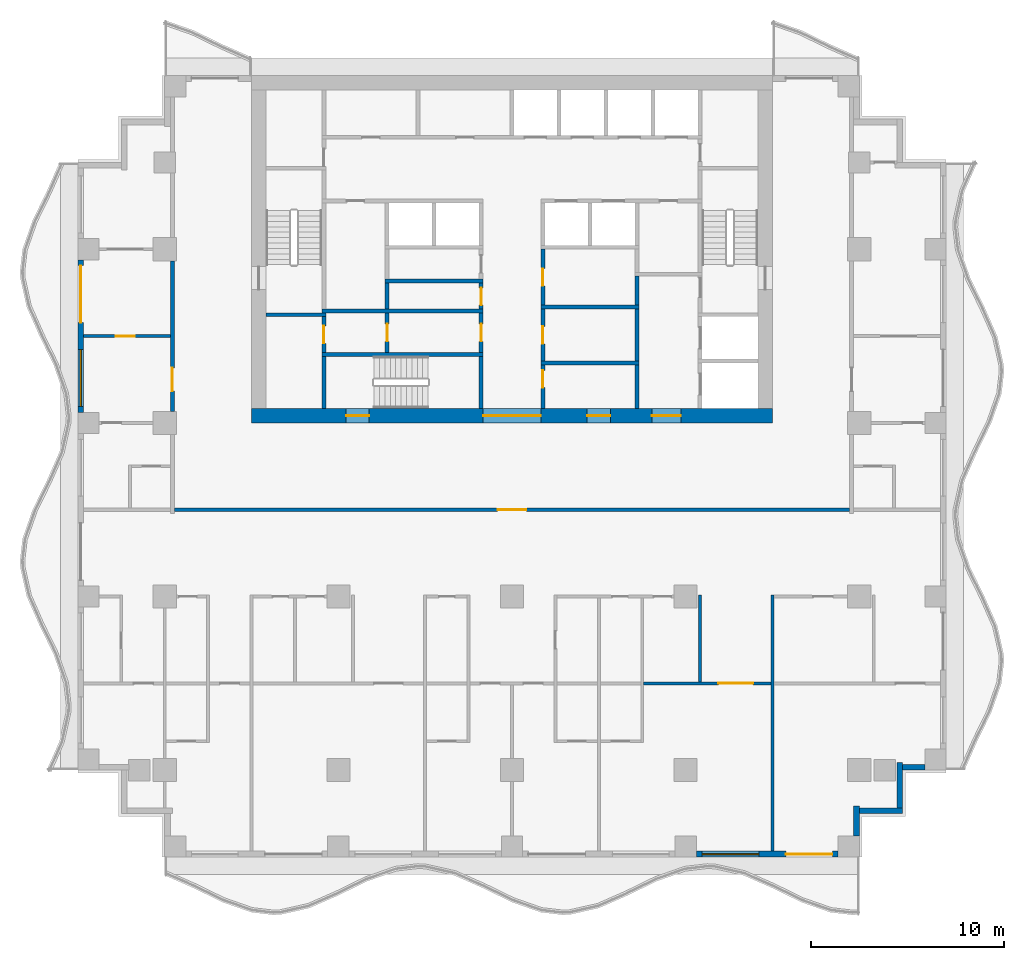
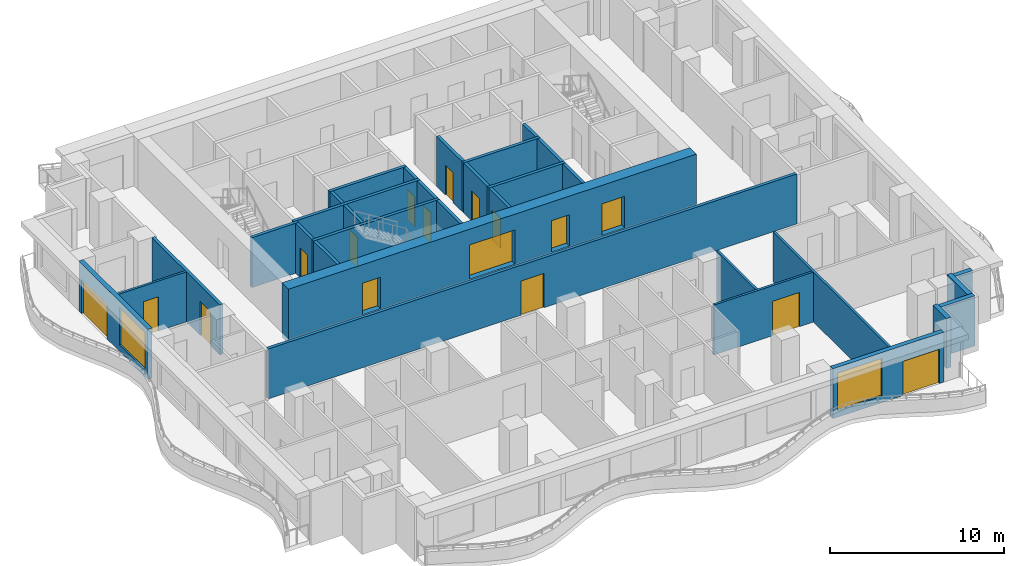
# One storey, part 3 of 10: 32 walls, 17 doors, 2 windows, 19 openings.
"""IFC4 building model written with IfcOpenShell, lengths in metres."""

from ifc_helpers import new_model, si_unit, direction, frame, frame_2d, origin, place, context, subcontext, project, spatial, rectangle, extrude, material, layer, layer_set, type_object, element, fill, save


model = new_model("IFC4")

# Units and contexts
model_context = context("Model", 3, precision=1e-05, world=origin(), true_north=direction((0.0, 1.0)))
body_context = subcontext(model_context, "Body", "Model", "MODEL_VIEW")
ifc_project = project(units=[si_unit("LENGTHUNIT", "METRE"), si_unit("AREAUNIT", "SQUARE_METRE"), si_unit("VOLUMEUNIT", "CUBIC_METRE"), si_unit("PLANEANGLEUNIT", "RADIAN"), si_unit("MASSUNIT", "GRAM", prefix="KILO")], contexts=[model_context])

# Site, building, storey
site_placement = place(None, origin())
site = spatial("IfcSite", under=ifc_project, at=site_placement, CompositionType="ELEMENT")
building_placement = place(site_placement, origin())
building = spatial("IfcBuilding", under=site, at=building_placement, Name="Orbiselva Terraces", CompositionType="ELEMENT")
storey_placement = place(building_placement, frame((0.0, 0.0, 170.6)))
storey = spatial("IfcBuildingStorey", under=building, at=storey_placement, Name="L43", CompositionType="ELEMENT", Elevation=170.6)

# Wall, openings, doors
ifc_material_1 = material(Name="Concrete C80/95", Category="concrete")
ifc_layer_1 = layer(ifc_material_1, 0.75)
ifc_layer_set_1 = layer_set([ifc_layer_1], Name="Concrete C80/95")
wall_type_1 = type_object("IfcWallType", Name="CORE WALL 750", PredefinedType="SHEAR", material=ifc_layer_set_1)
wall_1_placement = place(storey_placement, frame((-13.5, 4.875, -0.3), z_axis=(0.0, 0.0, 1.0), x_axis=(1.0, 0.0, 0.0)))
wall_1 = element("IfcWall", 1, at=wall_1_placement, inside=storey, type_object=wall_type_1, Name="Core wall L43 south", PredefinedType="SHEAR", context=body_context, shape_type="SweptSolid", body=[
    extrude(rectangle(XDim=27.0, YDim=0.75, at=frame_2d((13.5, 0.0))), origin(), (0.0, 0.0, 1.0), 3.8),
])
opening_1_placement = place(wall_1_placement, frame((12.0, 0.0, 0.3)))
opening_1 = element("IfcOpeningElement", 2, at=opening_1_placement, cuts=wall_1, Name="Opening DL3000", PredefinedType="OPENING", context=body_context, shape_type="SweptSolid", body=[
    extrude(rectangle(XDim=3.0, YDim=2.4, at=frame_2d((1.5, 1.2))), frame((0.0, 0.385, 0.0), z_axis=(0.0, -1.0, 0.0), x_axis=(1.0, 0.0, 0.0)), (0.0, 0.0, 1.0), 0.77),
])
opening_2_placement = place(wall_1_placement, frame((4.9, 0.0, 0.3)))
opening_2 = element("IfcOpeningElement", 3, at=opening_2_placement, cuts=wall_1, Name="Opening DS1200", PredefinedType="OPENING", context=body_context, shape_type="SweptSolid", body=[
    extrude(rectangle(XDim=1.2, YDim=2.2, at=frame_2d((0.6, 1.1))), frame((0.0, 0.385, 0.0), z_axis=(0.0, -1.0, 0.0), x_axis=(1.0, 0.0, 0.0)), (0.0, 0.0, 1.0), 0.77),
])
opening_3_placement = place(wall_1_placement, frame((20.75, 0.0, 0.3)))
opening_3 = element("IfcOpeningElement", 4, at=opening_3_placement, cuts=wall_1, Name="Opening DF1500", PredefinedType="OPENING", context=body_context, shape_type="SweptSolid", body=[
    extrude(rectangle(XDim=1.5, YDim=2.2, at=frame_2d((0.75, 1.1))), frame((0.0, 0.385, 0.0), z_axis=(0.0, -1.0, 0.0), x_axis=(1.0, 0.0, 0.0)), (0.0, 0.0, 1.0), 0.77),
])
opening_4_placement = place(wall_1_placement, frame((17.4, 0.0, 0.3)))
opening_4 = element("IfcOpeningElement", 5, at=opening_4_placement, cuts=wall_1, Name="Opening DV1200", PredefinedType="OPENING", context=body_context, shape_type="SweptSolid", body=[
    extrude(rectangle(XDim=1.2, YDim=2.2, at=frame_2d((0.6, 1.1))), frame((0.0, 0.385, 0.0), z_axis=(0.0, -1.0, 0.0), x_axis=(1.0, 0.0, 0.0)), (0.0, 0.0, 1.0), 0.77),
])
ifc_material_2 = material(Name="Steel fire door", Category="steel")
door_type_1 = type_object("IfcDoorType", Name="FFL DOOR 1500", OperationType="DOUBLE_DOOR_SINGLE_SWING", PredefinedType="DOOR", material=ifc_material_2)
door_1_placement = place(opening_3_placement, frame((1.5, 0.0, 0.0), z_axis=(0.0, 0.0, 1.0), x_axis=(-1.0, 0.0, 0.0)))
door_1 = element("IfcDoor", 6, at=door_1_placement, inside=storey, type_object=door_type_1, Name="L43 FIRE-FIGHTING LOBBY door", OperationType="DOUBLE_DOOR_SINGLE_SWING", OverallHeight=2.2, OverallWidth=1.5, PredefinedType="DOOR", context=body_context, shape_type="SweptSolid", body=[
    extrude(rectangle(XDim=1.5, YDim=2.2, at=frame_2d((0.75, 1.1))), frame((0.0, 0.025, 0.0), z_axis=(0.0, -1.0, 0.0), x_axis=(1.0, 0.0, 0.0)), (0.0, 0.0, 1.0), 0.05),
])
fill(opening_3, door_1)
door_type_2 = type_object("IfcDoorType", Name="LOBBY DOOR 3000", OperationType="DOUBLE_DOOR_SINGLE_SWING", PredefinedType="DOOR", material=ifc_material_2)
door_2_placement = place(opening_1_placement, frame((3.0, 0.0, 0.0), z_axis=(0.0, 0.0, 1.0), x_axis=(-1.0, 0.0, 0.0)))
door_2 = element("IfcDoor", 7, at=door_2_placement, inside=storey, type_object=door_type_2, Name="L43 LIFT LOBBY door", OperationType="DOUBLE_DOOR_SINGLE_SWING", OverallHeight=2.4, OverallWidth=3.0, PredefinedType="DOOR", context=body_context, shape_type="SweptSolid", body=[
    extrude(rectangle(XDim=3.0, YDim=2.4, at=frame_2d((1.5, 1.2))), frame((0.0, 0.025, 0.0), z_axis=(0.0, -1.0, 0.0), x_axis=(1.0, 0.0, 0.0)), (0.0, 0.0, 1.0), 0.05),
])
fill(opening_1, door_2)
door_type_3 = type_object("IfcDoorType", Name="SERVICE DOOR 1200", OperationType="NOTDEFINED", PredefinedType="DOOR", material=ifc_material_2)
door_3_placement = place(opening_4_placement, frame((1.2, 0.0, 0.0), z_axis=(0.0, 0.0, 1.0), x_axis=(-1.0, 0.0, 0.0)))
door_3 = element("IfcDoor", 8, at=door_3_placement, inside=storey, type_object=door_type_3, Name="L43 ELECTRICAL RISER ROOM door", OperationType="SINGLE_SWING_RIGHT", OverallHeight=2.2, OverallWidth=1.2, PredefinedType="DOOR", context=body_context, shape_type="SweptSolid", body=[
    extrude(rectangle(XDim=1.2, YDim=2.2, at=frame_2d((0.6, 1.1))), frame((0.0, 0.025, 0.0), z_axis=(0.0, -1.0, 0.0), x_axis=(1.0, 0.0, 0.0)), (0.0, 0.0, 1.0), 0.05),
])
fill(opening_4, door_3)
door_type_4 = type_object("IfcDoorType", Name="STAIR DOOR 1200", OperationType="NOTDEFINED", PredefinedType="DOOR", material=ifc_material_2)
door_4_placement = place(opening_2_placement, frame((1.2, 0.0, 0.0), z_axis=(0.0, 0.0, 1.0), x_axis=(-1.0, 0.0, 0.0)))
door_4 = element("IfcDoor", 9, at=door_4_placement, inside=storey, type_object=door_type_4, Name="L43 EXIT STAIR S3 door", OperationType="SINGLE_SWING_LEFT", OverallHeight=2.2, OverallWidth=1.2, PredefinedType="DOOR", context=body_context, shape_type="SweptSolid", body=[
    extrude(rectangle(XDim=1.2, YDim=2.2, at=frame_2d((0.6, 1.1))), frame((0.0, 0.025, 0.0), z_axis=(0.0, -1.0, 0.0), x_axis=(1.0, 0.0, 0.0)), (0.0, 0.0, 1.0), 0.05),
])
fill(opening_2, door_4)

# Wall, opening, door
ifc_material_3 = material(Name="Masonry blockwork", Category="masonry")
ifc_layer_2 = layer(ifc_material_3, 0.2)
ifc_layer_set_2 = layer_set([ifc_layer_2], Name="Masonry blockwork")
wall_type_2 = type_object("IfcWallType", Name="CORE-WALL-PARTITION-200", PredefinedType="PARTITIONING", material=ifc_layer_set_2)
wall_2_placement = place(storey_placement, frame((-9.75, 8.15, 0.0), z_axis=(0.0, 0.0, 1.0), x_axis=(0.0, 1.0, 0.0)))
wall_2 = element("IfcWall", 10, at=wall_2_placement, inside=storey, type_object=wall_type_2, Name="L43 core wall 05", PredefinedType="PARTITIONING", context=body_context, shape_type="SweptSolid", body=[
    extrude(rectangle(XDim=1.85, YDim=0.2, at=frame_2d((0.925, 0.0))), origin(), (0.0, 0.0, 1.0), 3.5),
])
opening_5_placement = place(wall_2_placement, frame((0.475, 0.0, 0.0)))
opening_5 = element("IfcOpeningElement", 11, at=opening_5_placement, cuts=wall_2, Name="Opening DR900", PredefinedType="OPENING", context=body_context, shape_type="SweptSolid", body=[
    extrude(rectangle(XDim=0.9, YDim=2.1, at=frame_2d((0.45, 1.05))), frame((0.0, 0.11, 0.0), z_axis=(0.0, -1.0, 0.0), x_axis=(1.0, 0.0, 0.0)), (0.0, 0.0, 1.0), 0.22),
])
door_type_5 = type_object("IfcDoorType", Name="ROOM DOOR 900", OperationType="NOTDEFINED", PredefinedType="DOOR", material=ifc_material_2)
door_5_placement = place(opening_5_placement, origin())
door_5 = element("IfcDoor", 12, at=door_5_placement, inside=storey, type_object=door_type_5, Name="L43 ACCESSIBLE WC door", OperationType="SINGLE_SWING_RIGHT", OverallHeight=2.1, OverallWidth=0.9, PredefinedType="DOOR", context=body_context, shape_type="SweptSolid", body=[
    extrude(rectangle(XDim=0.9, YDim=2.1, at=frame_2d((0.45, 1.05))), frame((0.0, 0.025, 0.0), z_axis=(0.0, -1.0, 0.0), x_axis=(1.0, 0.0, 0.0)), (0.0, 0.0, 1.0), 0.05),
])
fill(opening_5, door_5)

wall_3_placement = place(storey_placement, frame((-6.475, 8.15, 0.0), z_axis=(0.0, 0.0, 1.0), x_axis=(0.0, 1.0, 0.0)))
wall_3 = element("IfcWall", 13, at=wall_3_placement, inside=storey, type_object=wall_type_2, Name="L43 core wall 13", PredefinedType="PARTITIONING", context=body_context, shape_type="SweptSolid", body=[
    extrude(rectangle(XDim=2.05, YDim=0.2, at=frame_2d((1.025, 0.0))), origin(), (0.0, 0.0, 1.0), 3.5),
])
opening_6_placement = place(wall_3_placement, frame((0.575, 0.0, 0.0)))
opening_6 = element("IfcOpeningElement", 14, at=opening_6_placement, cuts=wall_3, Name="Opening DR900", PredefinedType="OPENING", context=body_context, shape_type="SweptSolid", body=[
    extrude(rectangle(XDim=0.9, YDim=2.1, at=frame_2d((0.45, 1.05))), frame((0.0, 0.11, 0.0), z_axis=(0.0, -1.0, 0.0), x_axis=(1.0, 0.0, 0.0)), (0.0, 0.0, 1.0), 0.22),
])
door_6_placement = place(opening_6_placement, origin())
door_6 = element("IfcDoor", 15, at=door_6_placement, inside=storey, type_object=door_type_5, Name="L43 CLEANERS STORE door", OperationType="SINGLE_SWING_RIGHT", OverallHeight=2.1, OverallWidth=0.9, PredefinedType="DOOR", context=body_context, shape_type="SweptSolid", body=[
    extrude(rectangle(XDim=0.9, YDim=2.1, at=frame_2d((0.45, 1.05))), frame((0.0, 0.025, 0.0), z_axis=(0.0, -1.0, 0.0), x_axis=(1.0, 0.0, 0.0)), (0.0, 0.0, 1.0), 0.05),
])
fill(opening_6, door_6)

# Wall
wall_4_placement = place(storey_placement, frame((-6.475, 10.4, 0.0), z_axis=(0.0, 0.0, 1.0), x_axis=(0.0, 1.0, 0.0)))
element("IfcWall", 16, at=wall_4_placement, inside=storey, type_object=wall_type_2, Name="L43 core wall 14", PredefinedType="PARTITIONING", context=body_context, shape_type="SweptSolid", body=[
    extrude(rectangle(XDim=1.35, YDim=0.2, at=frame_2d((0.675, 0.0))), origin(), (0.0, 0.0, 1.0), 3.5),
])

# Wall, opening, door
wall_5_placement = place(storey_placement, frame((-1.6, 8.15, 0.0), z_axis=(0.0, 0.0, 1.0), x_axis=(0.0, 1.0, 0.0)))
wall_5 = element("IfcWall", 17, at=wall_5_placement, inside=storey, type_object=wall_type_2, Name="L43 core wall 22", PredefinedType="PARTITIONING", context=body_context, shape_type="SweptSolid", body=[
    extrude(rectangle(XDim=2.05, YDim=0.2, at=frame_2d((1.025, 0.0))), origin(), (0.0, 0.0, 1.0), 3.5),
])
opening_7_placement = place(wall_5_placement, frame((0.575, 0.0, 0.0)))
opening_7 = element("IfcOpeningElement", 18, at=opening_7_placement, cuts=wall_5, Name="Opening DR900", PredefinedType="OPENING", context=body_context, shape_type="SweptSolid", body=[
    extrude(rectangle(XDim=0.9, YDim=2.1, at=frame_2d((0.45, 1.05))), frame((0.0, 0.11, 0.0), z_axis=(0.0, -1.0, 0.0), x_axis=(1.0, 0.0, 0.0)), (0.0, 0.0, 1.0), 0.22),
])
door_7_placement = place(opening_7_placement, origin())
door_7 = element("IfcDoor", 19, at=door_7_placement, inside=storey, type_object=door_type_5, Name="L43 COMMS ROOM door", OperationType="SINGLE_SWING_RIGHT", OverallHeight=2.1, OverallWidth=0.9, PredefinedType="DOOR", context=body_context, shape_type="SweptSolid", body=[
    extrude(rectangle(XDim=0.9, YDim=2.1, at=frame_2d((0.45, 1.05))), frame((0.0, 0.025, 0.0), z_axis=(0.0, -1.0, 0.0), x_axis=(1.0, 0.0, 0.0)), (0.0, 0.0, 1.0), 0.05),
])
fill(opening_7, door_7)

wall_6_placement = place(storey_placement, frame((-1.6, 10.4, 0.0), z_axis=(0.0, 0.0, 1.0), x_axis=(0.0, 1.0, 0.0)))
wall_6 = element("IfcWall", 20, at=wall_6_placement, inside=storey, type_object=wall_type_2, Name="L43 core wall 23", PredefinedType="PARTITIONING", context=body_context, shape_type="SweptSolid", body=[
    extrude(rectangle(XDim=1.35, YDim=0.2, at=frame_2d((0.675, 0.0))), origin(), (0.0, 0.0, 1.0), 3.5),
])
opening_8_placement = place(wall_6_placement, frame((0.2, 0.0, 0.0)))
opening_8 = element("IfcOpeningElement", 21, at=opening_8_placement, cuts=wall_6, Name="Opening DR900", PredefinedType="OPENING", context=body_context, shape_type="SweptSolid", body=[
    extrude(rectangle(XDim=0.9, YDim=2.1, at=frame_2d((0.45, 1.05))), frame((0.0, 0.11, 0.0), z_axis=(0.0, -1.0, 0.0), x_axis=(1.0, 0.0, 0.0)), (0.0, 0.0, 1.0), 0.22),
])
door_8_placement = place(opening_8_placement, origin())
door_8 = element("IfcDoor", 22, at=door_8_placement, inside=storey, type_object=door_type_5, Name="L43 BUILDING STORE door", OperationType="SINGLE_SWING_LEFT", OverallHeight=2.1, OverallWidth=0.9, PredefinedType="DOOR", context=body_context, shape_type="SweptSolid", body=[
    extrude(rectangle(XDim=0.9, YDim=2.1, at=frame_2d((0.45, 1.05))), frame((0.0, 0.025, 0.0), z_axis=(0.0, -1.0, 0.0), x_axis=(1.0, 0.0, 0.0)), (0.0, 0.0, 1.0), 0.05),
])
fill(opening_8, door_8)

wall_7_placement = place(storey_placement, frame((1.6, 7.5, 0.0), z_axis=(0.0, 0.0, 1.0), x_axis=(0.0, -1.0, 0.0)))
wall_7 = element("IfcWall", 23, at=wall_7_placement, inside=storey, type_object=wall_type_2, Name="L43 core wall 27", PredefinedType="PARTITIONING", context=body_context, shape_type="SweptSolid", body=[
    extrude(rectangle(XDim=2.25, YDim=0.2, at=frame_2d((1.125, 0.0))), origin(), (0.0, 0.0, 1.0), 3.5),
])
opening_9_placement = place(wall_7_placement, frame((0.275, 0.0, 0.0)))
opening_9 = element("IfcOpeningElement", 24, at=opening_9_placement, cuts=wall_7, Name="Opening DR900", PredefinedType="OPENING", context=body_context, shape_type="SweptSolid", body=[
    extrude(rectangle(XDim=0.9, YDim=2.1, at=frame_2d((0.45, 1.05))), frame((0.0, 0.11, 0.0), z_axis=(0.0, -1.0, 0.0), x_axis=(1.0, 0.0, 0.0)), (0.0, 0.0, 1.0), 0.22),
])
door_9_placement = place(opening_9_placement, origin())
door_9 = element("IfcDoor", 25, at=door_9_placement, inside=storey, type_object=door_type_5, Name="L43 ELECTRICAL RISER ROOM door", OperationType="SINGLE_SWING_LEFT", OverallHeight=2.1, OverallWidth=0.9, PredefinedType="DOOR", context=body_context, shape_type="SweptSolid", body=[
    extrude(rectangle(XDim=0.9, YDim=2.1, at=frame_2d((0.45, 1.05))), frame((0.0, 0.025, 0.0), z_axis=(0.0, -1.0, 0.0), x_axis=(1.0, 0.0, 0.0)), (0.0, 0.0, 1.0), 0.05),
])
fill(opening_9, door_9)

wall_8_placement = place(storey_placement, frame((1.6, 10.4, 0.0), z_axis=(0.0, 0.0, 1.0), x_axis=(0.0, -1.0, 0.0)))
wall_8 = element("IfcWall", 26, at=wall_8_placement, inside=storey, type_object=wall_type_2, Name="L43 core wall 29", PredefinedType="PARTITIONING", context=body_context, shape_type="SweptSolid", body=[
    extrude(rectangle(XDim=2.7, YDim=0.2, at=frame_2d((1.35, 0.0))), origin(), (0.0, 0.0, 1.0), 3.5),
])
opening_10_placement = place(wall_8_placement, frame((0.9, 0.0, 0.0)))
opening_10 = element("IfcOpeningElement", 27, at=opening_10_placement, cuts=wall_8, Name="Opening DR900", PredefinedType="OPENING", context=body_context, shape_type="SweptSolid", body=[
    extrude(rectangle(XDim=0.9, YDim=2.1, at=frame_2d((0.45, 1.05))), frame((0.0, 0.11, 0.0), z_axis=(0.0, -1.0, 0.0), x_axis=(1.0, 0.0, 0.0)), (0.0, 0.0, 1.0), 0.22),
])
door_10_placement = place(opening_10_placement, origin())
door_10 = element("IfcDoor", 28, at=door_10_placement, inside=storey, type_object=door_type_5, Name="L43 SERVICE PANTRY door", OperationType="SINGLE_SWING_LEFT", OverallHeight=2.1, OverallWidth=0.9, PredefinedType="DOOR", context=body_context, shape_type="SweptSolid", body=[
    extrude(rectangle(XDim=0.9, YDim=2.1, at=frame_2d((0.45, 1.05))), frame((0.0, 0.025, 0.0), z_axis=(0.0, -1.0, 0.0), x_axis=(1.0, 0.0, 0.0)), (0.0, 0.0, 1.0), 0.05),
])
fill(opening_10, door_10)

wall_9_placement = place(storey_placement, frame((1.6, 13.5, 0.0), z_axis=(0.0, 0.0, 1.0), x_axis=(0.0, -1.0, 0.0)))
wall_9 = element("IfcWall", 29, at=wall_9_placement, inside=storey, type_object=wall_type_2, Name="L43 core wall 31", PredefinedType="PARTITIONING", context=body_context, shape_type="SweptSolid", body=[
    extrude(rectangle(XDim=2.9, YDim=0.2, at=frame_2d((1.45, 0.0))), origin(), (0.0, 0.0, 1.0), 3.5),
])
opening_11_placement = place(wall_9_placement, frame((1.0, 0.0, 0.0)))
opening_11 = element("IfcOpeningElement", 30, at=opening_11_placement, cuts=wall_9, Name="Opening DR900", PredefinedType="OPENING", context=body_context, shape_type="SweptSolid", body=[
    extrude(rectangle(XDim=0.9, YDim=2.1, at=frame_2d((0.45, 1.05))), frame((0.0, 0.11, 0.0), z_axis=(0.0, -1.0, 0.0), x_axis=(1.0, 0.0, 0.0)), (0.0, 0.0, 1.0), 0.22),
])
door_11_placement = place(opening_11_placement, origin())
door_11 = element("IfcDoor", 31, at=door_11_placement, inside=storey, type_object=door_type_5, Name="L43 STAFF WC door", OperationType="SINGLE_SWING_LEFT", OverallHeight=2.1, OverallWidth=0.9, PredefinedType="DOOR", context=body_context, shape_type="SweptSolid", body=[
    extrude(rectangle(XDim=0.9, YDim=2.1, at=frame_2d((0.45, 1.05))), frame((0.0, 0.025, 0.0), z_axis=(0.0, -1.0, 0.0), x_axis=(1.0, 0.0, 0.0)), (0.0, 0.0, 1.0), 0.05),
])
fill(opening_11, door_11)

# Walls
ifc_material_4 = material(Name="Concrete C60/75", Category="concrete")
ifc_layer_3 = layer(ifc_material_4, 0.2)
ifc_layer_set_3 = layer_set([ifc_layer_3], Name="Concrete C60/75")
wall_type_3 = type_object("IfcWallType", Name="CORE-WALL-SHEAR-200", PredefinedType="SHEAR", material=ifc_layer_set_3)
wall_10_placement = place(storey_placement, frame((-12.75, 10.1, 0.0), z_axis=(0.0, 0.0, 1.0), x_axis=(1.0, 0.0, 0.0)))
element("IfcWall", 32, at=wall_10_placement, inside=storey, type_object=wall_type_3, Name="L43 core wall 01", PredefinedType="SHEAR", context=body_context, shape_type="SweptSolid", body=[
    extrude(rectangle(XDim=3.1, YDim=0.2, at=frame_2d((1.55, 0.0))), origin(), (0.0, 0.0, 1.0), 3.5),
])
wall_11_placement = place(storey_placement, frame((-9.75, 5.25, 0.0), z_axis=(0.0, 0.0, 1.0), x_axis=(0.0, 1.0, 0.0)))
element("IfcWall", 33, at=wall_11_placement, inside=storey, type_object=wall_type_3, Name="L43 core wall 03", PredefinedType="SHEAR", context=body_context, shape_type="SweptSolid", body=[
    extrude(rectangle(XDim=2.7, YDim=0.2, at=frame_2d((1.35, 0.0))), origin(), (0.0, 0.0, 1.0), 3.5),
])
for number, where, z_axis, x_axis, name in (
    (34, (-9.85, 8.05, 0.0), (0.0, 0.0, 1.0), (1.0, 0.0, 0.0), "L43 core wall 04"),
    (35, (-9.85, 10.3, 0.0), (0.0, 0.0, 1.0), (1.0, 0.0, 0.0), "L43 core wall 06"),
):
    element("IfcWall", number, at=place(storey_placement, frame(where, z_axis=z_axis, x_axis=x_axis)), inside=storey, type_object=wall_type_3, Name=name, PredefinedType="SHEAR", context=body_context, shape_type="SweptSolid", body=[
        extrude(rectangle(XDim=8.35, YDim=0.2, at=frame_2d((4.175, 0.0))), origin(), (0.0, 0.0, 1.0), 3.5),
    ])
wall_12_placement = place(storey_placement, frame((-6.575, 11.85, 0.0), z_axis=(0.0, 0.0, 1.0), x_axis=(1.0, 0.0, 0.0)))
element("IfcWall", 36, at=wall_12_placement, inside=storey, type_object=wall_type_3, Name="L43 core wall 15", PredefinedType="SHEAR", context=body_context, shape_type="SweptSolid", body=[
    extrude(rectangle(XDim=5.075, YDim=0.2, at=frame_2d((2.5375, 0.0))), origin(), (0.0, 0.0, 1.0), 3.5),
])
wall_13_placement = place(storey_placement, frame((-1.6, 5.25, 0.0), z_axis=(0.0, 0.0, 1.0), x_axis=(0.0, 1.0, 0.0)))
element("IfcWall", 37, at=wall_13_placement, inside=storey, type_object=wall_type_3, Name="L43 core wall 21", PredefinedType="SHEAR", context=body_context, shape_type="SweptSolid", body=[
    extrude(rectangle(XDim=2.7, YDim=0.2, at=frame_2d((1.35, 0.0))), origin(), (0.0, 0.0, 1.0), 3.5),
])
for number, where, z_axis, x_axis, name in (
    (38, (1.5, 7.6, 0.0), (0.0, 0.0, 1.0), (1.0, 0.0, 0.0), "L43 core wall 28"),
    (39, (1.5, 10.5, 0.0), (0.0, 0.0, 1.0), (1.0, 0.0, 0.0), "L43 core wall 30"),
):
    element("IfcWall", number, at=place(storey_placement, frame(where, z_axis=z_axis, x_axis=x_axis)), inside=storey, type_object=wall_type_3, Name=name, PredefinedType="SHEAR", context=body_context, shape_type="SweptSolid", body=[
        extrude(rectangle(XDim=5.075, YDim=0.2, at=frame_2d((2.5375, 0.0))), origin(), (0.0, 0.0, 1.0), 3.5),
    ])
wall_14_placement = place(storey_placement, frame((6.475, 5.25, 0.0), z_axis=(0.0, 0.0, 1.0), x_axis=(0.0, 1.0, 0.0)))
element("IfcWall", 40, at=wall_14_placement, inside=storey, type_object=wall_type_3, Name="L43 core wall 38", PredefinedType="SHEAR", context=body_context, shape_type="SweptSolid", body=[
    extrude(rectangle(XDim=2.25, YDim=0.2, at=frame_2d((1.125, 0.0))), origin(), (0.0, 0.0, 1.0), 3.5),
])
wall_15_placement = place(storey_placement, frame((6.475, 7.7, 0.0), z_axis=(0.0, 0.0, 1.0), x_axis=(0.0, 1.0, 0.0)))
element("IfcWall", 41, at=wall_15_placement, inside=storey, type_object=wall_type_3, Name="L43 core wall 39", PredefinedType="SHEAR", context=body_context, shape_type="SweptSolid", body=[
    extrude(rectangle(XDim=2.7, YDim=0.2, at=frame_2d((1.35, 0.0))), origin(), (0.0, 0.0, 1.0), 3.5),
])
wall_16_placement = place(storey_placement, frame((6.475, 10.6, 0.0), z_axis=(0.0, 0.0, 1.0), x_axis=(0.0, 1.0, 0.0)))
element("IfcWall", 42, at=wall_16_placement, inside=storey, type_object=wall_type_3, Name="L43 core wall 40", PredefinedType="SHEAR", context=body_context, shape_type="SweptSolid", body=[
    extrude(rectangle(XDim=1.5, YDim=0.2, at=frame_2d((0.75, 0.0))), origin(), (0.0, 0.0, 1.0), 3.5),
])

# Wall, openings, door, window
ifc_material_5 = material(Name="Terracotta cladding on masonry backing", Category="masonry")
ifc_layer_4 = layer(ifc_material_5, 0.3)
ifc_layer_set_4 = layer_set([ifc_layer_4], Name="Terracotta cladding on masonry backing")
wall_type_4 = type_object("IfcWallType", Name="ENV-WALL-TERRACOTTA-300", PredefinedType="SOLIDWALL", material=ifc_layer_set_4)
wall_17_placement = place(storey_placement, frame((16.9, -17.85, 0.0), z_axis=(0.0, 0.0, 1.0), x_axis=(-1.0, 0.0, 0.0)))
wall_17 = element("IfcWall", 43, at=wall_17_placement, inside=storey, type_object=wall_type_4, Name="Facade wall L43 S", PredefinedType="SOLIDWALL", context=body_context, shape_type="SweptSolid", body=[
    extrude(rectangle(XDim=7.35, YDim=0.3, at=frame_2d((3.675, 0.0))), origin(), (0.0, 0.0, 1.0), 3.5),
])
opening_12_placement = place(wall_17_placement, frame((4.1, 0.0, 0.45)))
opening_12 = element("IfcOpeningElement", 44, at=opening_12_placement, cuts=wall_17, Name="Opening WN12", PredefinedType="OPENING", context=body_context, shape_type="SweptSolid", body=[
    extrude(rectangle(XDim=2.95, YDim=2.65, at=frame_2d((1.475, 1.325))), frame((0.0, 0.16, 0.0), z_axis=(0.0, -1.0, 0.0), x_axis=(1.0, 0.0, 0.0)), (0.0, 0.0, 1.0), 0.32),
])
opening_13_placement = place(wall_17_placement, frame((0.3, 0.0, 0.0)))
opening_13 = element("IfcOpeningElement", 45, at=opening_13_placement, cuts=wall_17, Name="Opening Z3-E-E12", PredefinedType="OPENING", context=body_context, shape_type="SweptSolid", body=[
    extrude(rectangle(XDim=2.4, YDim=2.4, at=frame_2d((1.2, 1.2))), frame((0.0, 0.16, 0.0), z_axis=(0.0, -1.0, 0.0), x_axis=(1.0, 0.0, 0.0)), (0.0, 0.0, 1.0), 0.32),
])
ifc_material_6 = material(Name="Clear low-e glazing in aluminium frame", Category="aluminium")
door_type_6 = type_object("IfcDoorType", Name="BALCONY DOOR 2400 X 2400", OperationType="DOUBLE_DOOR_SLIDING", PredefinedType="DOOR", material=ifc_material_6)
door_12_placement = place(opening_13_placement, origin())
door_12 = element("IfcDoor", 46, at=door_12_placement, inside=storey, type_object=door_type_6, Name="Z3-E-E12", OperationType="SINGLE_SWING_LEFT", OverallHeight=2.4, OverallWidth=2.4, PredefinedType="DOOR", context=body_context, shape_type="SweptSolid", body=[
    extrude(rectangle(XDim=2.4, YDim=2.4, at=frame_2d((1.2, 1.2))), frame((0.0, 0.025, 0.0), z_axis=(0.0, -1.0, 0.0), x_axis=(1.0, 0.0, 0.0)), (0.0, 0.0, 1.0), 0.05),
])
fill(opening_13, door_12)
window_type = type_object("IfcWindowType", Name="WINDOW 2950 X 2650 S450", PartitioningType="TRIPLE_PANEL_VERTICAL", PredefinedType="WINDOW", material=ifc_material_6)
window_1_placement = place(opening_12_placement, origin())
window_1 = element("IfcWindow", 47, at=window_1_placement, inside=storey, type_object=window_type, Name="Window L43 S", OverallHeight=2.65, OverallWidth=2.95, PartitioningType="SINGLE_PANEL", PredefinedType="WINDOW", context=body_context, shape_type="SweptSolid", body=[
    extrude(rectangle(XDim=2.95, YDim=2.65, at=frame_2d((1.475, 1.325))), frame((0.0, 0.03, 0.0), z_axis=(0.0, -1.0, 0.0), x_axis=(1.0, 0.0, 0.0)), (0.0, 0.0, 1.0), 0.06),
])
fill(opening_12, window_1)

# Walls
wall_18_placement = place(storey_placement, frame((17.85, -15.35, 0.0), z_axis=(0.0, 0.0, 1.0), x_axis=(0.0, -1.0, 0.0)))
element("IfcWall", 48, at=wall_18_placement, inside=storey, type_object=wall_type_4, Name="Facade wall L43 STEP", PredefinedType="SOLIDWALL", context=body_context, shape_type="SweptSolid", body=[
    extrude(rectangle(XDim=1.55, YDim=0.3, at=frame_2d((0.775, 0.0))), origin(), (0.0, 0.0, 1.0), 3.5),
])
wall_19_placement = place(storey_placement, frame((20.25, -15.6, 0.0), z_axis=(0.0, 0.0, 1.0), x_axis=(-1.0, 0.0, 0.0)))
element("IfcWall", 49, at=wall_19_placement, inside=storey, type_object=wall_type_4, Name="Facade wall L43 STEP", PredefinedType="SOLIDWALL", context=body_context, shape_type="SweptSolid", body=[
    extrude(rectangle(XDim=2.25, YDim=0.3, at=frame_2d((1.125, 0.0))), origin(), (0.0, 0.0, 1.0), 3.5),
])
wall_20_placement = place(storey_placement, frame((20.1, -13.1, 0.0), z_axis=(0.0, 0.0, 1.0), x_axis=(0.0, -1.0, 0.0)))
element("IfcWall", 50, at=wall_20_placement, inside=storey, type_object=wall_type_4, Name="Facade wall L43 STEP", PredefinedType="SOLIDWALL", context=body_context, shape_type="SweptSolid", body=[
    extrude(rectangle(XDim=2.35, YDim=0.3, at=frame_2d((1.175, 0.0))), origin(), (0.0, 0.0, 1.0), 3.5),
])
wall_21_placement = place(storey_placement, frame((21.4, -13.35, 0.0), z_axis=(0.0, 0.0, 1.0), x_axis=(-1.0, 0.0, 0.0)))
element("IfcWall", 51, at=wall_21_placement, inside=storey, type_object=wall_type_4, Name="Facade wall L43 STEP", PredefinedType="SOLIDWALL", context=body_context, shape_type="SweptSolid", body=[
    extrude(rectangle(XDim=1.15, YDim=0.3, at=frame_2d((0.575, 0.0))), origin(), (0.0, 0.0, 1.0), 3.5),
])

# Wall, openings, door, window
wall_22_placement = place(storey_placement, frame((-22.35, 5.05, 0.0), z_axis=(0.0, 0.0, 1.0), x_axis=(0.0, 1.0, 0.0)))
wall_22 = element("IfcWall", 52, at=wall_22_placement, inside=storey, type_object=wall_type_4, Name="Facade wall L43 W", PredefinedType="SOLIDWALL", context=body_context, shape_type="SweptSolid", body=[
    extrude(rectangle(XDim=7.9, YDim=0.3, at=frame_2d((3.95, 0.0))), origin(), (0.0, 0.0, 1.0), 3.5),
])
opening_14_placement = place(wall_22_placement, frame((4.65, 0.0, 0.0)))
opening_14 = element("IfcOpeningElement", 53, at=opening_14_placement, cuts=wall_22, Name="Opening Z3-E-E09", PredefinedType="OPENING", context=body_context, shape_type="SweptSolid", body=[
    extrude(rectangle(XDim=2.95, YDim=2.4, at=frame_2d((1.475, 1.2))), frame((0.0, 0.16, 0.0), z_axis=(0.0, -1.0, 0.0), x_axis=(1.0, 0.0, 0.0)), (0.0, 0.0, 1.0), 0.32),
])
opening_15_placement = place(wall_22_placement, frame((0.3, 0.0, 0.45)))
opening_15 = element("IfcOpeningElement", 54, at=opening_15_placement, cuts=wall_22, Name="Opening WN12", PredefinedType="OPENING", context=body_context, shape_type="SweptSolid", body=[
    extrude(rectangle(XDim=2.95, YDim=2.65, at=frame_2d((1.475, 1.325))), frame((0.0, 0.16, 0.0), z_axis=(0.0, -1.0, 0.0), x_axis=(1.0, 0.0, 0.0)), (0.0, 0.0, 1.0), 0.32),
])
door_type_7 = type_object("IfcDoorType", Name="BALCONY DOOR 2950 X 2400", OperationType="DOUBLE_DOOR_SLIDING", PredefinedType="DOOR", material=ifc_material_6)
door_13_placement = place(opening_14_placement, origin())
door_13 = element("IfcDoor", 55, at=door_13_placement, inside=storey, type_object=door_type_7, Name="Z3-E-E09", OperationType="SINGLE_SWING_LEFT", OverallHeight=2.4, OverallWidth=2.95, PredefinedType="DOOR", context=body_context, shape_type="SweptSolid", body=[
    extrude(rectangle(XDim=2.95, YDim=2.4, at=frame_2d((1.475, 1.2))), frame((0.0, 0.025, 0.0), z_axis=(0.0, -1.0, 0.0), x_axis=(1.0, 0.0, 0.0)), (0.0, 0.0, 1.0), 0.05),
])
fill(opening_14, door_13)
window_2_placement = place(opening_15_placement, origin())
window_2 = element("IfcWindow", 56, at=window_2_placement, inside=storey, type_object=window_type, Name="Window L43 W", OverallHeight=2.65, OverallWidth=2.95, PartitioningType="SINGLE_PANEL", PredefinedType="WINDOW", context=body_context, shape_type="SweptSolid", body=[
    extrude(rectangle(XDim=2.95, YDim=2.65, at=frame_2d((1.475, 1.325))), frame((0.0, 0.03, 0.0), z_axis=(0.0, -1.0, 0.0), x_axis=(1.0, 0.0, 0.0)), (0.0, 0.0, 1.0), 0.06),
])
fill(opening_15, window_2)

# Wall, opening, door
ifc_material_7 = material(Name="Plasterboard on steel stud partition", Category="steel")
ifc_layer_5 = layer(ifc_material_7, 0.2)
ifc_layer_set_5 = layer_set([ifc_layer_5], Name="Plasterboard on steel stud partition")
wall_type_5 = type_object("IfcWallType", Name="UNIT-ENTRANCE-WALL-200", PredefinedType="PARTITIONING", material=ifc_layer_set_5)
wall_23_placement = place(storey_placement, frame((17.5, 0.0, 0.0), z_axis=(0.0, 0.0, 1.0), x_axis=(-1.0, 0.0, 0.0)))
wall_23 = element("IfcWall", 57, at=wall_23_placement, inside=storey, type_object=wall_type_5, Name="PARTITION L43-021", PredefinedType="PARTITIONING", context=body_context, shape_type="SweptSolid", body=[
    extrude(rectangle(XDim=35.0, YDim=0.2, at=frame_2d((17.5, 0.0))), origin(), (0.0, 0.0, 1.0), 3.5),
])
opening_16_placement = place(wall_23_placement, frame((16.75, 0.0, 0.0)))
opening_16 = element("IfcOpeningElement", 58, at=opening_16_placement, cuts=wall_23, Name="Opening Z3-E-11", PredefinedType="OPENING", context=body_context, shape_type="SweptSolid", body=[
    extrude(rectangle(XDim=1.5, YDim=2.4, at=frame_2d((0.75, 1.2))), frame((0.0, 0.11, 0.0), z_axis=(0.0, -1.0, 0.0), x_axis=(1.0, 0.0, 0.0)), (0.0, 0.0, 1.0), 0.22),
])
ifc_material_8 = material(Name="Painted timber door leaf", Category="wood")
door_type_8 = type_object("IfcDoorType", Name="ENTRANCE DOUBLE DOOR 1500", OperationType="NOTDEFINED", PredefinedType="DOOR", material=ifc_material_8)
door_14_placement = place(opening_16_placement, origin())
door_14 = element("IfcDoor", 59, at=door_14_placement, inside=storey, type_object=door_type_8, Name="Z3-E-11", OperationType="DOUBLE_DOOR_SINGLE_SWING", OverallHeight=2.4, OverallWidth=1.5, PredefinedType="DOOR", context=body_context, shape_type="SweptSolid", body=[
    extrude(rectangle(XDim=1.5, YDim=2.4, at=frame_2d((0.75, 1.2))), frame((0.0, 0.025, 0.0), z_axis=(0.0, -1.0, 0.0), x_axis=(1.0, 0.0, 0.0)), (0.0, 0.0, 1.0), 0.05),
])
fill(opening_16, door_14)

wall_24_placement = place(storey_placement, frame((-17.6, 5.1, 0.0), z_axis=(0.0, 0.0, 1.0), x_axis=(0.0, 1.0, 0.0)))
wall_24 = element("IfcWall", 60, at=wall_24_placement, inside=storey, type_object=wall_type_5, Name="PARTITION L43-037", PredefinedType="PARTITIONING", context=body_context, shape_type="SweptSolid", body=[
    extrude(rectangle(XDim=7.8, YDim=0.2, at=frame_2d((3.9, 0.0))), origin(), (0.0, 0.0, 1.0), 3.5),
])
opening_17_placement = place(wall_24_placement, frame((1.05, 0.0, 0.0)))
opening_17 = element("IfcOpeningElement", 61, at=opening_17_placement, cuts=wall_24, Name="Opening Z3-E-03", PredefinedType="OPENING", context=body_context, shape_type="SweptSolid", body=[
    extrude(rectangle(XDim=1.2, YDim=2.4, at=frame_2d((0.6, 1.2))), frame((0.0, 0.11, 0.0), z_axis=(0.0, -1.0, 0.0), x_axis=(1.0, 0.0, 0.0)), (0.0, 0.0, 1.0), 0.22),
])
door_type_9 = type_object("IfcDoorType", Name="ENTRANCE DOOR 1200", OperationType="NOTDEFINED", PredefinedType="DOOR", material=ifc_material_8)
door_15_placement = place(opening_17_placement, origin())
door_15 = element("IfcDoor", 62, at=door_15_placement, inside=storey, type_object=door_type_9, Name="Z3-E-03", OperationType="SINGLE_SWING_LEFT", OverallHeight=2.4, OverallWidth=1.2, PredefinedType="DOOR", context=body_context, shape_type="SweptSolid", body=[
    extrude(rectangle(XDim=1.2, YDim=2.4, at=frame_2d((0.6, 1.2))), frame((0.0, 0.025, 0.0), z_axis=(0.0, -1.0, 0.0), x_axis=(1.0, 0.0, 0.0)), (0.0, 0.0, 1.0), 0.05),
])
fill(opening_17, door_15)

ifc_layer_6 = layer(ifc_material_7, 0.15)
ifc_layer_set_6 = layer_set([ifc_layer_6], Name="Plasterboard on steel stud partition")
wall_type_6 = type_object("IfcWallType", Name="UNIT-PARTITION-150", PredefinedType="PARTITIONING", material=ifc_layer_set_6)
wall_25_placement = place(storey_placement, frame((13.425, -9.0, 0.0), z_axis=(0.0, 0.0, 1.0), x_axis=(-1.0, 0.0, 0.0)))
wall_25 = element("IfcWall", 63, at=wall_25_placement, inside=storey, type_object=wall_type_6, Name="PARTITION L43-013", PredefinedType="PARTITIONING", context=body_context, shape_type="SweptSolid", body=[
    extrude(rectangle(XDim=6.6, YDim=0.15, at=frame_2d((3.3, 0.0))), origin(), (0.0, 0.0, 1.0), 3.5),
])
opening_18_placement = place(wall_25_placement, frame((0.925, 0.0, 0.0)))
opening_18 = element("IfcOpeningElement", 64, at=opening_18_placement, cuts=wall_25, Name="Opening Z3-E-22", PredefinedType="OPENING", context=body_context, shape_type="SweptSolid", body=[
    extrude(rectangle(XDim=1.8, YDim=2.4, at=frame_2d((0.9, 1.2))), frame((0.0, 0.085, 0.0), z_axis=(0.0, -1.0, 0.0), x_axis=(1.0, 0.0, 0.0)), (0.0, 0.0, 1.0), 0.17),
])
door_type_10 = type_object("IfcDoorType", Name="DOUBLE DOOR 1800", OperationType="NOTDEFINED", PredefinedType="DOOR", material=ifc_material_8)
door_16_placement = place(opening_18_placement, origin())
door_16 = element("IfcDoor", 65, at=door_16_placement, inside=storey, type_object=door_type_10, Name="Z3-E-22", OperationType="DOUBLE_DOOR_SINGLE_SWING", OverallHeight=2.4, OverallWidth=1.8, PredefinedType="DOOR", context=body_context, shape_type="SweptSolid", body=[
    extrude(rectangle(XDim=1.8, YDim=2.4, at=frame_2d((0.9, 1.2))), frame((0.0, 0.025, 0.0), z_axis=(0.0, -1.0, 0.0), x_axis=(1.0, 0.0, 0.0)), (0.0, 0.0, 1.0), 0.05),
])
fill(opening_18, door_16)

wall_26_placement = place(storey_placement, frame((-22.2, 9.0, 0.0), z_axis=(0.0, 0.0, 1.0), x_axis=(1.0, 0.0, 0.0)))
wall_26 = element("IfcWall", 66, at=wall_26_placement, inside=storey, type_object=wall_type_6, Name="PARTITION L43-028", PredefinedType="PARTITIONING", context=body_context, shape_type="SweptSolid", body=[
    extrude(rectangle(XDim=4.5, YDim=0.15, at=frame_2d((2.25, 0.0))), origin(), (0.0, 0.0, 1.0), 3.5),
])
opening_19_placement = place(wall_26_placement, frame((1.65, 0.0, 0.0)))
opening_19 = element("IfcOpeningElement", 67, at=opening_19_placement, cuts=wall_26, Name="Opening Z3-E-04", PredefinedType="OPENING", context=body_context, shape_type="SweptSolid", body=[
    extrude(rectangle(XDim=1.0, YDim=2.4, at=frame_2d((0.5, 1.2))), frame((0.0, 0.085, 0.0), z_axis=(0.0, -1.0, 0.0), x_axis=(1.0, 0.0, 0.0)), (0.0, 0.0, 1.0), 0.17),
])
door_type_11 = type_object("IfcDoorType", Name="ROOM DOOR 1000", OperationType="NOTDEFINED", PredefinedType="DOOR", material=ifc_material_8)
door_17_placement = place(opening_19_placement, origin())
door_17 = element("IfcDoor", 68, at=door_17_placement, inside=storey, type_object=door_type_11, Name="Z3-E-04", OperationType="SINGLE_SWING_LEFT", OverallHeight=2.4, OverallWidth=1.0, PredefinedType="DOOR", context=body_context, shape_type="SweptSolid", body=[
    extrude(rectangle(XDim=1.0, YDim=2.4, at=frame_2d((0.5, 1.2))), frame((0.0, 0.025, 0.0), z_axis=(0.0, -1.0, 0.0), x_axis=(1.0, 0.0, 0.0)), (0.0, 0.0, 1.0), 0.05),
])
fill(opening_19, door_17)

# Walls
wall_27_placement = place(storey_placement, frame((9.75, -8.925, 0.0), z_axis=(0.0, 0.0, 1.0), x_axis=(0.0, 1.0, 0.0)))
element("IfcWall", 69, at=wall_27_placement, inside=storey, type_object=wall_type_6, Name="PARTITION L43-051", PredefinedType="PARTITIONING", context=body_context, shape_type="SweptSolid", body=[
    extrude(rectangle(XDim=4.5, YDim=0.15, at=frame_2d((2.25, 0.0))), origin(), (0.0, 0.0, 1.0), 3.5),
])
wall_28_placement = place(storey_placement, frame((13.5, -17.7, 0.0), z_axis=(0.0, 0.0, 1.0), x_axis=(0.0, 1.0, 0.0)))
element("IfcWall", 70, at=wall_28_placement, inside=storey, type_object=wall_type_6, Name="PARTITION L43-052", PredefinedType="PARTITIONING", context=body_context, shape_type="SweptSolid", body=[
    extrude(rectangle(XDim=13.275, YDim=0.15, at=frame_2d((6.6375, 0.0))), origin(), (0.0, 0.0, 1.0), 3.5),
])

save(model, "model.ifc")
